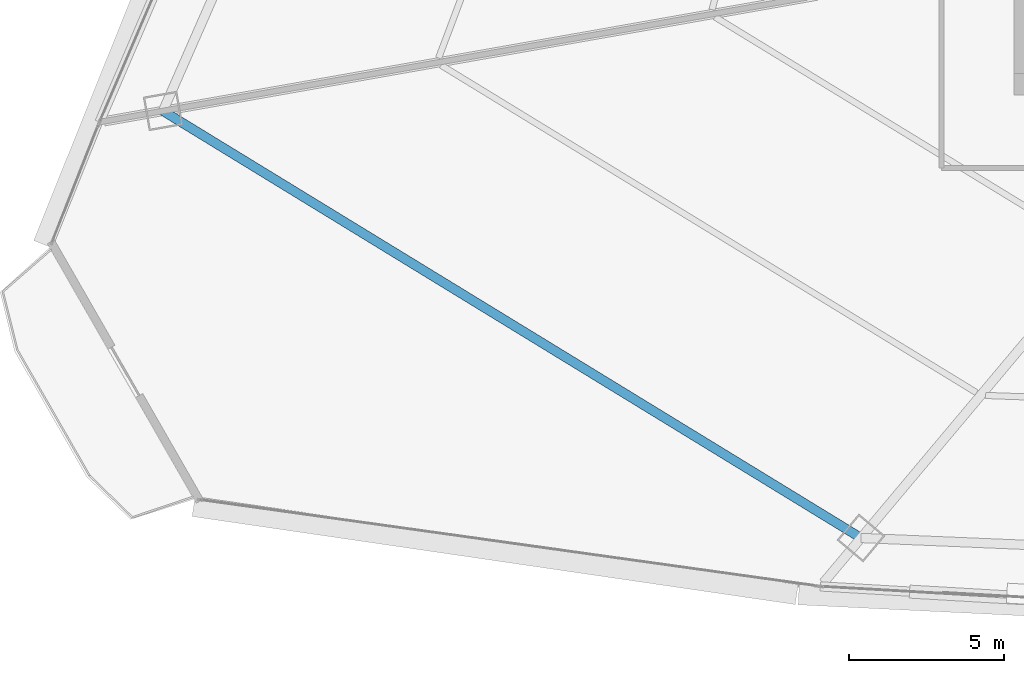
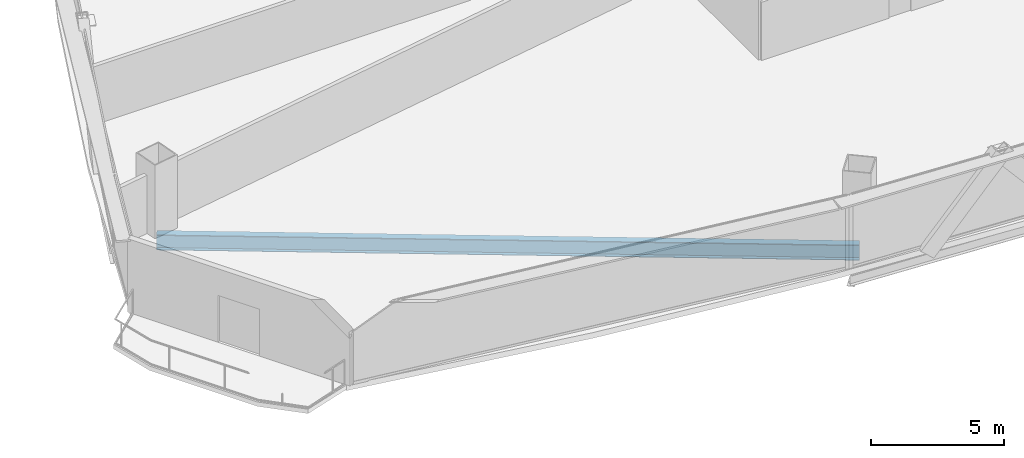
# One storey, part 5 of 38: 1 beam.
"""IFC4 building model written with IfcOpenShell, lengths in metres."""

import ifcopenshell
import ifcopenshell.guid

model = None  # the IFC model being written
_history = None  # IfcOwnerHistory: only IFC2X3 demands one
_inside = {}  # id of a spatial element -> (the spatial element, [elements in it])
_under = {}  # id of a project, library or spatial element -> (it, [spatial elements below it])
_declared = {}  # id of a project -> (the project, [libraries it declares])
_typed = {}  # id of a type object -> (the type object, [elements of that type])
_made_of = {}  # id of a material, layer set ... -> (it, [elements and type objects made of it])


def new_model(schema):
    """Start an empty IFC model of exactly this schema.

    Asked for "IFC4X3", IfcOpenShell would pick the latest addendum, in which some entities
    have other attributes; the version numbers below select the first issue.
    IFC2X3 requires an IfcOwnerHistory on every rooted entity: one is made here for all.
    """
    global model, _history
    if schema == "IFC4X3":
        model = ifcopenshell.file(schema_version=(4, 3, 0, 0))
    else:
        model = ifcopenshell.file(schema=schema)
    _inside.clear()
    _under.clear()
    _declared.clear()
    _typed.clear()
    _made_of.clear()
    _history = None
    if model.schema == "IFC2X3":
        org = make("IfcOrganization", Name="unknown")
        user = make(
            "IfcPersonAndOrganization",
            ThePerson=make("IfcPerson", FamilyName="unknown"),
            TheOrganization=org,
        )
        app = make(
            "IfcApplication",
            ApplicationDeveloper=org,
            Version="unknown",
            ApplicationFullName="unknown",
            ApplicationIdentifier="unknown",
        )
        _history = make(
            "IfcOwnerHistory",
            OwningUser=user,
            OwningApplication=app,
            ChangeAction="ADDED",
            CreationDate=0,
        )
    return model


def make(cls, **values):
    """One entity of the class cls with the attributes given. An attribute that is None is left unset."""
    return model.create_entity(
        cls, **{name: value for name, value in values.items() if value is not None}
    )


def rooted(cls, **values):
    """An entity with a GlobalId (a new one), such as an element, a storey or a relation."""
    return make(cls, GlobalId=ifcopenshell.guid.new(), OwnerHistory=_history, **values)


def si_unit(unit_type, name, prefix=None):
    """IfcSIUnit, for example si_unit("LENGTHUNIT", "METRE", prefix="MILLI")."""
    return make("IfcSIUnit", UnitType=unit_type, Prefix=prefix, Name=name)


def assignment(units):
    """IfcUnitAssignment: the units of a project."""
    return None if units is None else make("IfcUnitAssignment", Units=units)


def point(xyz):
    """IfcCartesianPoint."""
    return None if xyz is None else make("IfcCartesianPoint", Coordinates=xyz)


def direction(xyz):
    """IfcDirection."""
    return None if xyz is None else make("IfcDirection", DirectionRatios=xyz)


def frame(location, z_axis=None, x_axis=None):
    """IfcAxis2Placement3D, a coordinate frame: its origin and axes. An axis left out is left unset."""
    return make(
        "IfcAxis2Placement3D",
        Location=point(location),
        Axis=direction(z_axis),
        RefDirection=direction(x_axis),
    )


def frame_2d(location, x_axis=None):
    """IfcAxis2Placement2D, a coordinate frame in the plane: its origin and x axis."""
    return make(
        "IfcAxis2Placement2D", Location=point(location), RefDirection=direction(x_axis)
    )


def origin():
    """The frame at (0, 0, 0) with its axes left unset."""
    return frame((0.0, 0.0, 0.0))


def origin_2d():
    """The frame at (0, 0) in the plane with its x axis left unset."""
    return frame_2d((0.0, 0.0))


def place(relative_to, where):
    """IfcLocalPlacement: puts the frame where relative to a parent placement (None: the world)."""
    return make(
        "IfcLocalPlacement", PlacementRelTo=relative_to, RelativePlacement=where
    )


def context(
    kind, dimensions, precision=None, world=None, true_north=None, identifier=None
):
    """IfcGeometricRepresentationContext, for example the 3D "Model" context."""
    return make(
        "IfcGeometricRepresentationContext",
        ContextIdentifier=identifier,
        ContextType=kind,
        CoordinateSpaceDimension=dimensions,
        Precision=precision,
        WorldCoordinateSystem=world,
        TrueNorth=true_north,
    )


def subcontext(parent, identifier, kind, view, scale=None):
    """IfcGeometricRepresentationSubContext, for example "Body" below "Model"."""
    return make(
        "IfcGeometricRepresentationSubContext",
        ContextIdentifier=identifier,
        ContextType=kind,
        ParentContext=parent,
        TargetScale=scale,
        TargetView=view,
    )


def project(units=None, contexts=None):
    """IfcProject with its units and contexts."""
    return rooted(
        "IfcProject",
        Name="project",
        RepresentationContexts=contexts,
        UnitsInContext=assignment(units),
    )


def spatial(cls, under=None, at=None, **own):
    """A site, building, storey or space (cls), placed at a placement, below another one or the project."""
    s = rooted(cls, ObjectPlacement=at, **own)
    if under is not None:
        _under.setdefault(under.id(), (under, []))[1].append(s)
    return s


def profile(cls, at=None, kind="AREA", **sizes):
    """A parametric profile (cls). Its sizes go by their IFC names, for example OverallWidth=200.0."""
    return make(cls, ProfileType=kind, Position=at, **sizes)


def i_section(**sizes):
    """IfcIShapeProfileDef."""
    return profile("IfcIShapeProfileDef", **sizes)


def extrude(swept, where, along, depth):
    """IfcExtrudedAreaSolid: the profile swept, set in the frame where, extruded along a direction by depth."""
    return make(
        "IfcExtrudedAreaSolid",
        SweptArea=swept,
        Position=where,
        ExtrudedDirection=direction(along),
        Depth=depth,
    )


def shape(context_of_items, identifier, shape_type, items):
    """IfcShapeRepresentation: the items that make up one representation, for example the "Body"."""
    return make(
        "IfcShapeRepresentation",
        ContextOfItems=context_of_items,
        RepresentationIdentifier=identifier,
        RepresentationType=shape_type,
        Items=items,
    )


def source(mapping_origin, context_of_items, identifier, shape_type, items):
    """IfcRepresentationMap: a shape defined once, which mapped items show again and again."""
    return make(
        "IfcRepresentationMap",
        MappingOrigin=mapping_origin,
        MappedRepresentation=shape(context_of_items, identifier, shape_type, items),
    )


def transform(
    local_origin,
    x_axis=None,
    y_axis=None,
    z_axis=None,
    scale=None,
    scale2=None,
    scale3=None,
    uniform=True,
):
    """IfcCartesianTransformationOperator3D, or its non-uniform kind. x_axis, y_axis, z_axis: its Axis1, 2, 3."""
    if uniform:
        return make(
            "IfcCartesianTransformationOperator3D",
            Axis1=direction(x_axis),
            Axis2=direction(y_axis),
            LocalOrigin=point(local_origin),
            Scale=scale,
            Axis3=direction(z_axis),
        )
    return make(
        "IfcCartesianTransformationOperator3DnonUniform",
        Axis1=direction(x_axis),
        Axis2=direction(y_axis),
        LocalOrigin=point(local_origin),
        Scale=scale,
        Axis3=direction(z_axis),
        Scale2=scale2,
        Scale3=scale3,
    )


def mapped(mapping_source, mapping_target):
    """IfcMappedItem: shows the shape of a source again, moved by a transform."""
    return make(
        "IfcMappedItem", MappingSource=mapping_source, MappingTarget=mapping_target
    )


def material(Name=None, Category=None):
    """IfcMaterial."""
    return make("IfcMaterial", Name=Name, Category=Category)


def material_profile(
    of_material, cross_section, Name=None, Category=None, Priority=None
):
    """IfcMaterialProfile: a cross section and its material."""
    return make(
        "IfcMaterialProfile",
        Name=Name,
        Material=of_material,
        Profile=cross_section,
        Priority=Priority,
        Category=Category,
    )


def profile_set(profiles, Name=None, composite=None):
    """IfcMaterialProfileSet."""
    return make(
        "IfcMaterialProfileSet",
        Name=Name,
        MaterialProfiles=profiles,
        CompositeProfile=composite,
    )


def made_of(thing, what):
    """Note that an element or type object is made of a material, layer set ...; save() writes the relation."""
    if what is not None:
        _made_of.setdefault(what.id(), (what, []))[1].append(thing)
    return thing


def type_object(cls, material=None, **own):
    """A type object (cls), such as IfcWallType, which elements share."""
    return made_of(rooted(cls, **own), material)


def element(
    cls,
    number,
    at=None,
    inside=None,
    cuts=None,
    type_object=None,
    material=None,
    context=None,
    identifier="Body",
    shape_type=None,
    held_by="IfcProductDefinitionShape",
    body=None,
    shapes=None,
    **own,
):
    """One element of the class cls, such as IfcWall. Its Tag is "e" and its number.

    at: its placement. inside: the storey or other place that contains it. cuts: it is an
    opening in that element (IfcRelVoidsElement). A single representation is given by context,
    identifier, shape_type and body (its items); several are given by shapes. held_by: the class
    of the entity that holds the representations. save() writes the other relations.
    """
    e = rooted(cls, Tag="e%d" % number, ObjectPlacement=at, **own)
    if body is not None:
        shapes = [shape(context, identifier, shape_type, body)]
    if shapes is not None:
        e.Representation = make(held_by, Representations=shapes)
    if inside is not None:
        _inside.setdefault(inside.id(), (inside, []))[1].append(e)
    if cuts is not None:
        rooted(
            "IfcRelVoidsElement", RelatingBuildingElement=cuts, RelatedOpeningElement=e
        )
    if type_object is not None:
        _typed.setdefault(type_object.id(), (type_object, []))[1].append(e)
    return made_of(e, material)


def aggregate(whole, parts):
    """IfcRelAggregates: a whole, such as a stair, and the parts it consists of."""
    return rooted("IfcRelAggregates", RelatingObject=whole, RelatedObjects=parts)


def save(model, path):
    """Write the relations noted so far, then the file.

    IfcRelAggregates (storeys below a building ...), IfcRelContainedInSpatialStructure (elements
    in a storey), IfcRelDefinesByType, IfcRelAssociatesMaterial and IfcRelDeclares: one each for
    every whole, place, type object, material and project.
    """
    for whole, parts in _under.values():
        aggregate(whole, parts)
    for where, things in _inside.values():
        rooted(
            "IfcRelContainedInSpatialStructure",
            RelatedElements=things,
            RelatingStructure=where,
        )
    for kind, things in _typed.values():
        rooted("IfcRelDefinesByType", RelatedObjects=things, RelatingType=kind)
    for what, things in _made_of.values():
        rooted("IfcRelAssociatesMaterial", RelatedObjects=things, RelatingMaterial=what)
    for by, libraries in _declared.values():
        rooted("IfcRelDeclares", RelatingContext=by, RelatedDefinitions=libraries)
    model.write(path)


model = new_model("IFC4")

# Units and contexts
model_context = context("Model", 3, precision=1e-05, world=origin(), true_north=direction((0.0, 1.0)))
body_context = subcontext(model_context, "Body", "Model", "MODEL_VIEW")
ifc_project = project(units=[si_unit("LENGTHUNIT", "METRE"), si_unit("AREAUNIT", "SQUARE_METRE"), si_unit("VOLUMEUNIT", "CUBIC_METRE"), si_unit("PLANEANGLEUNIT", "RADIAN"), si_unit("MASSUNIT", "GRAM", prefix="KILO"), si_unit("THERMODYNAMICTEMPERATUREUNIT", "KELVIN"), si_unit("POWERUNIT", "WATT")], contexts=[model_context])

# Site, building, storey
site_placement = place(None, origin())
site = spatial("IfcSite", under=ifc_project, at=site_placement, CompositionType="ELEMENT")
building_placement = place(site_placement, origin())
building = spatial("IfcBuilding", under=site, at=building_placement, Name="Yunzhuo Pagoda Commons", CompositionType="ELEMENT")
storey_placement = place(building_placement, frame((0.0, 0.0, 37.659912109375)))
storey = spatial("IfcBuildingStorey", under=building, at=storey_placement, Name="L09", CompositionType="ELEMENT", Elevation=37.659912109375)

# Beam
ifc_material = material(Name="Structural steel Q355B", Category="steel")
ifc_material_profile = material_profile(ifc_material, i_section(OverallWidth=0.300048828125, OverallDepth=0.699951171875, WebThickness=0.012939453125, FlangeThickness=0.02392578125, at=origin_2d()), Name="Structural steel Q355B")
ifc_profile_set = profile_set([ifc_material_profile], Name="Structural steel Q355B")
beam_type = type_object("IfcBeamType", Name="B-RG1 Beam HN 700x300x13x24", PredefinedType="BEAM", material=ifc_profile_set)
shared_shape = source(origin(), body_context, "Body", "SweptSolid", [
    extrude(i_section(OverallWidth=0.300048828125, OverallDepth=0.699951171875, WebThickness=0.012939453125, FlangeThickness=0.02392578125, at=origin_2d()), origin(), (0.0, 0.0, 1.0), 26.432373046875),
])
beam_placement = place(storey_placement, frame((7.952392578125, 26.638427734375, -0.60986328125), z_axis=(0.853031728928, -0.521859051318, 0.0), x_axis=(0.521859051318, 0.853031728928, 0.0)))
element("IfcBeam", 1, at=beam_placement, inside=storey, type_object=beam_type, Name="L09 column-ring beam 12", PredefinedType="BEAM", context=body_context, shape_type="MappedRepresentation", body=[
    mapped(shared_shape, transform((0.0, 0.0, 0.0), scale=1.0)),
])

save(model, "model.ifc")
